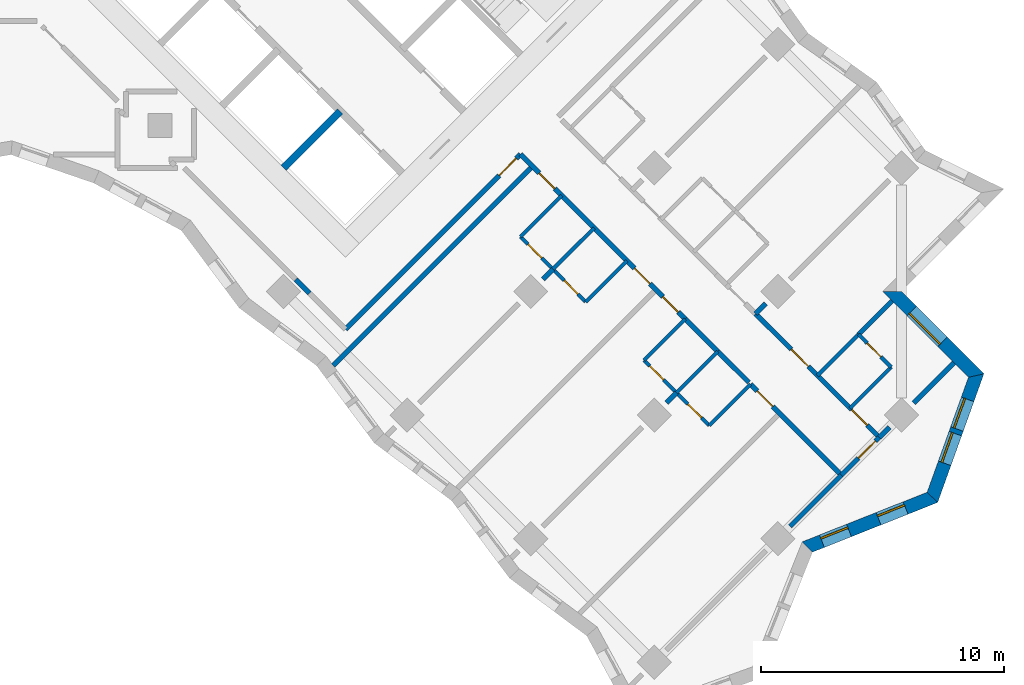
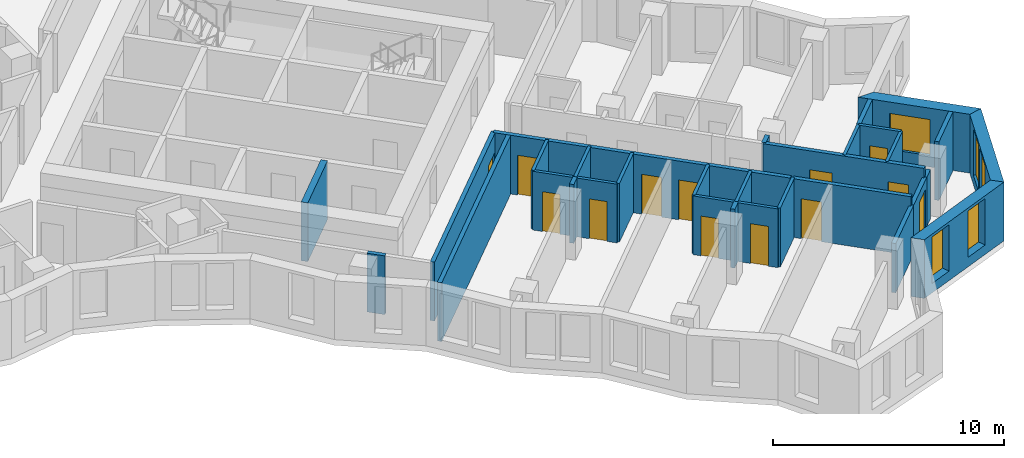
# One storey, part 9 of 13: 31 walls, 13 doors, 5 windows, 18 openings.
"""IFC4 building model written with IfcOpenShell, lengths in metres."""

import ifcopenshell
import ifcopenshell.guid

model = None  # the IFC model being written
_history = None  # IfcOwnerHistory: only IFC2X3 demands one
_inside = {}  # id of a spatial element -> (the spatial element, [elements in it])
_under = {}  # id of a project, library or spatial element -> (it, [spatial elements below it])
_declared = {}  # id of a project -> (the project, [libraries it declares])
_typed = {}  # id of a type object -> (the type object, [elements of that type])
_made_of = {}  # id of a material, layer set ... -> (it, [elements and type objects made of it])


def new_model(schema):
    """Start an empty IFC model of exactly this schema.

    Asked for "IFC4X3", IfcOpenShell would pick the latest addendum, in which some entities
    have other attributes; the version numbers below select the first issue.
    IFC2X3 requires an IfcOwnerHistory on every rooted entity: one is made here for all.
    """
    global model, _history
    if schema == "IFC4X3":
        model = ifcopenshell.file(schema_version=(4, 3, 0, 0))
    else:
        model = ifcopenshell.file(schema=schema)
    _inside.clear()
    _under.clear()
    _declared.clear()
    _typed.clear()
    _made_of.clear()
    _history = None
    if model.schema == "IFC2X3":
        org = make("IfcOrganization", Name="unknown")
        user = make(
            "IfcPersonAndOrganization",
            ThePerson=make("IfcPerson", FamilyName="unknown"),
            TheOrganization=org,
        )
        app = make(
            "IfcApplication",
            ApplicationDeveloper=org,
            Version="unknown",
            ApplicationFullName="unknown",
            ApplicationIdentifier="unknown",
        )
        _history = make(
            "IfcOwnerHistory",
            OwningUser=user,
            OwningApplication=app,
            ChangeAction="ADDED",
            CreationDate=0,
        )
    return model


def make(cls, **values):
    """One entity of the class cls with the attributes given. An attribute that is None is left unset."""
    return model.create_entity(
        cls, **{name: value for name, value in values.items() if value is not None}
    )


def rooted(cls, **values):
    """An entity with a GlobalId (a new one), such as an element, a storey or a relation."""
    return make(cls, GlobalId=ifcopenshell.guid.new(), OwnerHistory=_history, **values)


def si_unit(unit_type, name, prefix=None):
    """IfcSIUnit, for example si_unit("LENGTHUNIT", "METRE", prefix="MILLI")."""
    return make("IfcSIUnit", UnitType=unit_type, Prefix=prefix, Name=name)


def assignment(units):
    """IfcUnitAssignment: the units of a project."""
    return None if units is None else make("IfcUnitAssignment", Units=units)


def point(xyz):
    """IfcCartesianPoint."""
    return None if xyz is None else make("IfcCartesianPoint", Coordinates=xyz)


def direction(xyz):
    """IfcDirection."""
    return None if xyz is None else make("IfcDirection", DirectionRatios=xyz)


def frame(location, z_axis=None, x_axis=None):
    """IfcAxis2Placement3D, a coordinate frame: its origin and axes. An axis left out is left unset."""
    return make(
        "IfcAxis2Placement3D",
        Location=point(location),
        Axis=direction(z_axis),
        RefDirection=direction(x_axis),
    )


def frame_2d(location, x_axis=None):
    """IfcAxis2Placement2D, a coordinate frame in the plane: its origin and x axis."""
    return make(
        "IfcAxis2Placement2D", Location=point(location), RefDirection=direction(x_axis)
    )


def origin():
    """The frame at (0, 0, 0) with its axes left unset."""
    return frame((0.0, 0.0, 0.0))


def place(relative_to, where):
    """IfcLocalPlacement: puts the frame where relative to a parent placement (None: the world)."""
    return make(
        "IfcLocalPlacement", PlacementRelTo=relative_to, RelativePlacement=where
    )


def context(
    kind, dimensions, precision=None, world=None, true_north=None, identifier=None
):
    """IfcGeometricRepresentationContext, for example the 3D "Model" context."""
    return make(
        "IfcGeometricRepresentationContext",
        ContextIdentifier=identifier,
        ContextType=kind,
        CoordinateSpaceDimension=dimensions,
        Precision=precision,
        WorldCoordinateSystem=world,
        TrueNorth=true_north,
    )


def subcontext(parent, identifier, kind, view, scale=None):
    """IfcGeometricRepresentationSubContext, for example "Body" below "Model"."""
    return make(
        "IfcGeometricRepresentationSubContext",
        ContextIdentifier=identifier,
        ContextType=kind,
        ParentContext=parent,
        TargetScale=scale,
        TargetView=view,
    )


def project(units=None, contexts=None):
    """IfcProject with its units and contexts."""
    return rooted(
        "IfcProject",
        Name="project",
        RepresentationContexts=contexts,
        UnitsInContext=assignment(units),
    )


def spatial(cls, under=None, at=None, **own):
    """A site, building, storey or space (cls), placed at a placement, below another one or the project."""
    s = rooted(cls, ObjectPlacement=at, **own)
    if under is not None:
        _under.setdefault(under.id(), (under, []))[1].append(s)
    return s


def polyline(points):
    """IfcPolyline through the points."""
    return make("IfcPolyline", Points=[point(p) for p in points])


def profile(cls, at=None, kind="AREA", **sizes):
    """A parametric profile (cls). Its sizes go by their IFC names, for example OverallWidth=200.0."""
    return make(cls, ProfileType=kind, Position=at, **sizes)


def rectangle(**sizes):
    """IfcRectangleProfileDef."""
    return profile("IfcRectangleProfileDef", **sizes)


def outline(outer, holes=None, kind="AREA"):
    """IfcArbitraryClosedProfileDef: a profile drawn as a closed curve; with holes, ...WithVoids."""
    if holes is None:
        return make("IfcArbitraryClosedProfileDef", ProfileType=kind, OuterCurve=outer)
    return make(
        "IfcArbitraryProfileDefWithVoids",
        ProfileType=kind,
        OuterCurve=outer,
        InnerCurves=holes,
    )


def extrude(swept, where, along, depth):
    """IfcExtrudedAreaSolid: the profile swept, set in the frame where, extruded along a direction by depth."""
    return make(
        "IfcExtrudedAreaSolid",
        SweptArea=swept,
        Position=where,
        ExtrudedDirection=direction(along),
        Depth=depth,
    )


def shape(context_of_items, identifier, shape_type, items):
    """IfcShapeRepresentation: the items that make up one representation, for example the "Body"."""
    return make(
        "IfcShapeRepresentation",
        ContextOfItems=context_of_items,
        RepresentationIdentifier=identifier,
        RepresentationType=shape_type,
        Items=items,
    )


def material(Name=None, Category=None):
    """IfcMaterial."""
    return make("IfcMaterial", Name=Name, Category=Category)


def layer(
    of_material, thickness, ventilated=None, Name=None, Category=None, Priority=None
):
    """IfcMaterialLayer: one layer of a wall or slab, of a material (None: an air gap)."""
    return make(
        "IfcMaterialLayer",
        Material=of_material,
        LayerThickness=thickness,
        IsVentilated=ventilated,
        Name=Name,
        Category=Category,
        Priority=Priority,
    )


def layer_set(layers, Name=None):
    """IfcMaterialLayerSet."""
    return make("IfcMaterialLayerSet", MaterialLayers=layers, LayerSetName=Name)


def made_of(thing, what):
    """Note that an element or type object is made of a material, layer set ...; save() writes the relation."""
    if what is not None:
        _made_of.setdefault(what.id(), (what, []))[1].append(thing)
    return thing


def type_object(cls, material=None, **own):
    """A type object (cls), such as IfcWallType, which elements share."""
    return made_of(rooted(cls, **own), material)


def element(
    cls,
    number,
    at=None,
    inside=None,
    cuts=None,
    type_object=None,
    material=None,
    context=None,
    identifier="Body",
    shape_type=None,
    held_by="IfcProductDefinitionShape",
    body=None,
    shapes=None,
    **own,
):
    """One element of the class cls, such as IfcWall. Its Tag is "e" and its number.

    at: its placement. inside: the storey or other place that contains it. cuts: it is an
    opening in that element (IfcRelVoidsElement). A single representation is given by context,
    identifier, shape_type and body (its items); several are given by shapes. held_by: the class
    of the entity that holds the representations. save() writes the other relations.
    """
    e = rooted(cls, Tag="e%d" % number, ObjectPlacement=at, **own)
    if body is not None:
        shapes = [shape(context, identifier, shape_type, body)]
    if shapes is not None:
        e.Representation = make(held_by, Representations=shapes)
    if inside is not None:
        _inside.setdefault(inside.id(), (inside, []))[1].append(e)
    if cuts is not None:
        rooted(
            "IfcRelVoidsElement", RelatingBuildingElement=cuts, RelatedOpeningElement=e
        )
    if type_object is not None:
        _typed.setdefault(type_object.id(), (type_object, []))[1].append(e)
    return made_of(e, material)


def fill(opening, filler):
    """IfcRelFillsElement: the door or window that sits in an opening."""
    return rooted(
        "IfcRelFillsElement",
        RelatingOpeningElement=opening,
        RelatedBuildingElement=filler,
    )


def aggregate(whole, parts):
    """IfcRelAggregates: a whole, such as a stair, and the parts it consists of."""
    return rooted("IfcRelAggregates", RelatingObject=whole, RelatedObjects=parts)


def save(model, path):
    """Write the relations noted so far, then the file.

    IfcRelAggregates (storeys below a building ...), IfcRelContainedInSpatialStructure (elements
    in a storey), IfcRelDefinesByType, IfcRelAssociatesMaterial and IfcRelDeclares: one each for
    every whole, place, type object, material and project.
    """
    for whole, parts in _under.values():
        aggregate(whole, parts)
    for where, things in _inside.values():
        rooted(
            "IfcRelContainedInSpatialStructure",
            RelatedElements=things,
            RelatingStructure=where,
        )
    for kind, things in _typed.values():
        rooted("IfcRelDefinesByType", RelatedObjects=things, RelatingType=kind)
    for what, things in _made_of.values():
        rooted("IfcRelAssociatesMaterial", RelatedObjects=things, RelatingMaterial=what)
    for by, libraries in _declared.values():
        rooted("IfcRelDeclares", RelatingContext=by, RelatedDefinitions=libraries)
    model.write(path)


model = new_model("IFC4")

# Units and contexts
model_context = context("Model", 3, precision=1e-05, world=origin(), true_north=direction((0.0, 1.0)))
body_context = subcontext(model_context, "Body", "Model", "MODEL_VIEW")
ifc_project = project(units=[si_unit("LENGTHUNIT", "METRE"), si_unit("AREAUNIT", "SQUARE_METRE"), si_unit("VOLUMEUNIT", "CUBIC_METRE"), si_unit("PLANEANGLEUNIT", "RADIAN"), si_unit("MASSUNIT", "GRAM", prefix="KILO")], contexts=[model_context])

# Site, building, storey
site_placement = place(None, origin())
site = spatial("IfcSite", under=ifc_project, at=site_placement, CompositionType="ELEMENT")
building_placement = place(site_placement, origin())
building = spatial("IfcBuilding", under=site, at=building_placement, Name="Windrow Commons", CompositionType="ELEMENT")
storey_placement = place(building_placement, frame((0.0, 0.0, 111.8)))
storey = spatial("IfcBuildingStorey", under=building, at=storey_placement, Name="L30", CompositionType="ELEMENT", Elevation=111.8)

# Wall, openings, windows
ifc_material_1 = material(Name="Brick masonry, red clay brick", Category="masonry")
ifc_layer_1 = layer(ifc_material_1, 0.55)
ifc_layer_set_1 = layer_set([ifc_layer_1], Name="Brick facade wall 550")
wall_type_1 = type_object("IfcWallType", Name="Brick facade wall 550", PredefinedType="SOLIDWALL", material=ifc_layer_set_1)
wall_1_placement = place(storey_placement, frame((105.8681, 25.8355, 0.0), z_axis=(0.0, 0.0, 1.0), x_axis=(0.9295367521, 0.368729476, 0.0)))
wall_1 = element("IfcWall", 1, at=wall_1_placement, inside=storey, type_object=wall_type_1, Name="Brick facade wall L30 3", PredefinedType="SOLIDWALL", context=body_context, shape_type="SweptSolid", body=[
    extrude(outline(polyline([(0.1188, -0.275), (5.6666, -0.275), (5.4183, 0.275), (-0.1188, 0.275), (0.1188, -0.275)])), origin(), (0.0, 0.0, 1.0), 3.1),
])
opening_1_placement = place(wall_1_placement, frame((0.6467, 0.0, 0.5)))
opening_1 = element("IfcOpeningElement", 2, at=opening_1_placement, cuts=wall_1, Name="Opening W7D", PredefinedType="OPENING", context=body_context, shape_type="SweptSolid", body=[
    extrude(rectangle(XDim=1.2, YDim=2.45, at=frame_2d((0.6, 1.225))), frame((0.0, 0.285, 0.0), z_axis=(0.0, -1.0, 0.0), x_axis=(1.0, 0.0, 0.0)), (0.0, 0.0, 1.0), 0.57),
])
opening_2_placement = place(wall_1_placement, frame((3.1559, 0.0, 0.5)))
opening_2 = element("IfcOpeningElement", 3, at=opening_2_placement, cuts=wall_1, Name="Opening W7D", PredefinedType="OPENING", context=body_context, shape_type="SweptSolid", body=[
    extrude(rectangle(XDim=1.2, YDim=2.45, at=frame_2d((0.6, 1.225))), frame((0.0, 0.285, 0.0), z_axis=(0.0, -1.0, 0.0), x_axis=(1.0, 0.0, 0.0)), (0.0, 0.0, 1.0), 0.57),
])
ifc_material_2 = material(Name="Clear float glass in anodised aluminium frame", Category="aluminium")
window_type_1 = type_object("IfcWindowType", Name="Window W7 notch 1200x2450", PartitioningType="SINGLE_PANEL", PredefinedType="WINDOW", material=ifc_material_2)
window_1_placement = place(opening_1_placement, origin())
window_1 = element("IfcWindow", 4, at=window_1_placement, inside=storey, type_object=window_type_1, Name="Window L30 3.1", OverallHeight=2.45, OverallWidth=1.2, PartitioningType="SINGLE_PANEL", PredefinedType="WINDOW", context=body_context, shape_type="SweptSolid", body=[
    extrude(rectangle(XDim=1.2, YDim=2.45, at=frame_2d((0.6, 1.225))), frame((0.0, 0.155, 0.0), z_axis=(0.0, -1.0, 0.0), x_axis=(1.0, 0.0, 0.0)), (0.0, 0.0, 1.0), 0.06),
])
fill(opening_1, window_1)
window_2_placement = place(opening_2_placement, origin())
window_2 = element("IfcWindow", 5, at=window_2_placement, inside=storey, type_object=window_type_1, Name="Window L30 3.2", OverallHeight=2.45, OverallWidth=1.2, PartitioningType="SINGLE_PANEL", PredefinedType="WINDOW", context=body_context, shape_type="SweptSolid", body=[
    extrude(rectangle(XDim=1.2, YDim=2.45, at=frame_2d((0.6, 1.225))), frame((0.0, 0.155, 0.0), z_axis=(0.0, -1.0, 0.0), x_axis=(1.0, 0.0, 0.0)), (0.0, 0.0, 1.0), 0.06),
])
fill(opening_2, window_2)

wall_2_placement = place(storey_placement, frame((111.0201, 27.8792, 0.0), z_axis=(0.0, 0.0, 1.0), x_axis=(0.3382106652, 0.9410704256, 0.0)))
wall_2 = element("IfcWall", 6, at=wall_2_placement, inside=storey, type_object=wall_type_1, Name="Brick facade wall L30 4", PredefinedType="SOLIDWALL", context=body_context, shape_type="SweptSolid", body=[
    extrude(outline(polyline([(-0.1242, -0.275), (5.506, -0.275), (5.1572, 0.275), (0.1242, 0.275), (-0.1242, -0.275)])), origin(), (0.0, 0.0, 1.0), 3.1),
])
opening_3_placement = place(wall_2_placement, frame((1.4912, 0.0, 0.5)))
opening_3 = element("IfcOpeningElement", 7, at=opening_3_placement, cuts=wall_2, Name="Opening W1P", PredefinedType="OPENING", context=body_context, shape_type="SweptSolid", body=[
    extrude(rectangle(XDim=1.3, YDim=2.45, at=frame_2d((0.65, 1.225))), frame((0.0, 0.285, 0.0), z_axis=(0.0, -1.0, 0.0), x_axis=(1.0, 0.0, 0.0)), (0.0, 0.0, 1.0), 0.57),
])
opening_4_placement = place(wall_2_placement, frame((2.9912, 0.0, 0.5)))
opening_4 = element("IfcOpeningElement", 8, at=opening_4_placement, cuts=wall_2, Name="Opening W1P", PredefinedType="OPENING", context=body_context, shape_type="SweptSolid", body=[
    extrude(rectangle(XDim=1.3, YDim=2.45, at=frame_2d((0.65, 1.225))), frame((0.0, 0.285, 0.0), z_axis=(0.0, -1.0, 0.0), x_axis=(1.0, 0.0, 0.0)), (0.0, 0.0, 1.0), 0.57),
])
ifc_material_3 = material(Name="Clear float glass in anodised aluminium frame", Category="aluminium")
window_type_2 = type_object("IfcWindowType", Name="Window W1P pair 1300x2450", PartitioningType="SINGLE_PANEL", PredefinedType="WINDOW", material=ifc_material_3)
window_3_placement = place(opening_3_placement, origin())
window_3 = element("IfcWindow", 9, at=window_3_placement, inside=storey, type_object=window_type_2, Name="Window L30 4.1A", OverallHeight=2.45, OverallWidth=1.3, PartitioningType="SINGLE_PANEL", PredefinedType="WINDOW", context=body_context, shape_type="SweptSolid", body=[
    extrude(rectangle(XDim=1.3, YDim=2.45, at=frame_2d((0.65, 1.225))), frame((0.0, 0.155, 0.0), z_axis=(0.0, -1.0, 0.0), x_axis=(1.0, 0.0, 0.0)), (0.0, 0.0, 1.0), 0.06),
])
fill(opening_3, window_3)
window_4_placement = place(opening_4_placement, origin())
window_4 = element("IfcWindow", 10, at=window_4_placement, inside=storey, type_object=window_type_2, Name="Window L30 4.1B", OverallHeight=2.45, OverallWidth=1.3, PartitioningType="SINGLE_PANEL", PredefinedType="WINDOW", context=body_context, shape_type="SweptSolid", body=[
    extrude(rectangle(XDim=1.3, YDim=2.45, at=frame_2d((0.65, 1.225))), frame((0.0, 0.155, 0.0), z_axis=(0.0, -1.0, 0.0), x_axis=(1.0, 0.0, 0.0)), (0.0, 0.0, 1.0), 0.06),
])
fill(opening_4, window_4)

# Wall, opening, window
wall_3_placement = place(storey_placement, frame((112.8233, 32.8966, 0.0), z_axis=(0.0, 0.0, 1.0), x_axis=(-0.7071067812, 0.7071067812, 0.0)))
wall_3 = element("IfcWall", 11, at=wall_3_placement, inside=storey, type_object=wall_type_1, Name="Brick facade wall L30 5", PredefinedType="SOLIDWALL", context=body_context, shape_type="SweptSolid", body=[
    extrude(outline(polyline([(-0.1744, -0.275), (4.6256, -0.275), (5.1756, 0.275), (0.1744, 0.275), (-0.1744, -0.275)])), origin(), (0.0, 0.0, 1.0), 3.1),
])
opening_5_placement = place(wall_3_placement, frame((1.9631, 0.0, 0.6)))
opening_5 = element("IfcOpeningElement", 12, at=opening_5_placement, cuts=wall_3, Name="Opening W1L", PredefinedType="OPENING", context=body_context, shape_type="SweptSolid", body=[
    extrude(rectangle(XDim=1.8, YDim=1.9, at=frame_2d((0.9, 0.95))), frame((0.0, 0.285, 0.0), z_axis=(0.0, -1.0, 0.0), x_axis=(1.0, 0.0, 0.0)), (0.0, 0.0, 1.0), 0.57),
])
ifc_material_4 = material(Name="Clear float glass in anodised aluminium frame", Category="aluminium")
window_type_3 = type_object("IfcWindowType", Name="Window W1L bedroom 1800x1900", PartitioningType="SINGLE_PANEL", PredefinedType="WINDOW", material=ifc_material_4)
window_5_placement = place(opening_5_placement, origin())
window_5 = element("IfcWindow", 13, at=window_5_placement, inside=storey, type_object=window_type_3, Name="Window L30 5.1", OverallHeight=1.9, OverallWidth=1.8, PartitioningType="SINGLE_PANEL", PredefinedType="WINDOW", context=body_context, shape_type="SweptSolid", body=[
    extrude(rectangle(XDim=1.8, YDim=1.9, at=frame_2d((0.9, 0.95))), frame((0.0, 0.155, 0.0), z_axis=(0.0, -1.0, 0.0), x_axis=(1.0, 0.0, 0.0)), (0.0, 0.0, 1.0), 0.06),
])
fill(opening_5, window_5)

# Wall, opening, door
ifc_material_5 = material(Name="Blockwork partition", Category="masonry")
ifc_layer_2 = layer(ifc_material_5, 0.2)
ifc_layer_set_2 = layer_set([ifc_layer_2], Name="IW-CORRIDOR-200")
wall_type_2 = type_object("IfcWallType", Name="IW-CORRIDOR-200", PredefinedType="PARTITIONING", material=ifc_layer_set_2)
wall_4_placement = place(storey_placement, frame((86.8355, 34.8065, 0.0), z_axis=(0.0, 0.0, 1.0), x_axis=(0.7071067812, 0.7071067812, 0.0)))
wall_4 = element("IfcWall", 14, at=wall_4_placement, inside=storey, type_object=wall_type_2, Name="W-L30-W011", PredefinedType="PARTITIONING", context=body_context, shape_type="SweptSolid", body=[
    extrude(rectangle(XDim=10.2007, YDim=0.2, at=frame_2d((5.1003, 0.0))), origin(), (0.0, 0.0, 1.0), 3.1),
])
opening_6_placement = place(wall_4_placement, frame((8.959, 0.0, 0.0)))
opening_6 = element("IfcOpeningElement", 15, at=opening_6_placement, cuts=wall_4, Name="Opening D310F", PredefinedType="OPENING", context=body_context, shape_type="SweptSolid", body=[
    extrude(rectangle(XDim=1.0, YDim=2.1, at=frame_2d((0.5, 1.05))), frame((0.0, 0.11, 0.0), z_axis=(0.0, -1.0, 0.0), x_axis=(1.0, 0.0, 0.0)), (0.0, 0.0, 1.0), 0.22),
])
ifc_material_6 = material(Name="Timber door leaf", Category="wood")
door_type_1 = type_object("IfcDoorType", Name="DT-AMENITY-1000", OperationType="SINGLE_SWING_LEFT", PredefinedType="DOOR", material=ifc_material_6)
door_1_placement = place(opening_6_placement, origin())
door_1 = element("IfcDoor", 16, at=door_1_placement, inside=storey, type_object=door_type_1, Name="D-L30-D056", OperationType="SINGLE_SWING_LEFT", OverallHeight=2.1, OverallWidth=1.0, PredefinedType="DOOR", context=body_context, shape_type="SweptSolid", body=[
    extrude(rectangle(XDim=1.0, YDim=2.1, at=frame_2d((0.5, 1.05))), frame((0.0, 0.025, 0.0), z_axis=(0.0, -1.0, 0.0), x_axis=(1.0, 0.0, 0.0)), (0.0, 0.0, 1.0), 0.05),
])
fill(opening_6, door_1)

# Wall, openings, doors
wall_5_placement = place(storey_placement, frame((94.0467, 42.0147, 0.0), z_axis=(0.0, 0.0, 1.0), x_axis=(0.7071067812, -0.7071067812, 0.0)))
wall_5 = element("IfcWall", 17, at=wall_5_placement, inside=storey, type_object=wall_type_2, Name="W-L30-W012", PredefinedType="PARTITIONING", context=body_context, shape_type="SweptSolid", body=[
    extrude(rectangle(XDim=9.5997, YDim=0.2, at=frame_2d((4.7999, 0.0))), origin(), (0.0, 0.0, 1.0), 3.1),
])
opening_7_placement = place(wall_5_placement, frame((1.099, 0.0, 0.0)))
opening_7 = element("IfcOpeningElement", 18, at=opening_7_placement, cuts=wall_5, Name="Opening D109S", PredefinedType="OPENING", context=body_context, shape_type="SweptSolid", body=[
    extrude(rectangle(XDim=0.9, YDim=2.1, at=frame_2d((0.45, 1.05))), frame((0.0, 0.11, 0.0), z_axis=(0.0, -1.0, 0.0), x_axis=(1.0, 0.0, 0.0)), (0.0, 0.0, 1.0), 0.22),
])
opening_8_placement = place(wall_5_placement, frame((6.649, 0.0, 0.0)))
opening_8 = element("IfcOpeningElement", 19, at=opening_8_placement, cuts=wall_5, Name="Opening D109S", PredefinedType="OPENING", context=body_context, shape_type="SweptSolid", body=[
    extrude(rectangle(XDim=0.9, YDim=2.1, at=frame_2d((0.45, 1.05))), frame((0.0, 0.11, 0.0), z_axis=(0.0, -1.0, 0.0), x_axis=(1.0, 0.0, 0.0)), (0.0, 0.0, 1.0), 0.22),
])
opening_9_placement = place(wall_5_placement, frame((8.3003, 0.0, 0.0)))
opening_9 = element("IfcOpeningElement", 20, at=opening_9_placement, cuts=wall_5, Name="Opening D109S", PredefinedType="OPENING", context=body_context, shape_type="SweptSolid", body=[
    extrude(rectangle(XDim=0.9, YDim=2.1, at=frame_2d((0.45, 1.05))), frame((0.0, 0.11, 0.0), z_axis=(0.0, -1.0, 0.0), x_axis=(1.0, 0.0, 0.0)), (0.0, 0.0, 1.0), 0.22),
])
ifc_material_7 = material(Name="Timber door leaf", Category="wood")
door_type_2 = type_object("IfcDoorType", Name="DT-BEDROOM-900", OperationType="SINGLE_SWING_LEFT", PredefinedType="DOOR", material=ifc_material_7)
door_2_placement = place(opening_7_placement, origin())
door_2 = element("IfcDoor", 21, at=door_2_placement, inside=storey, type_object=door_type_2, Name="D-L30-D057", OperationType="SINGLE_SWING_LEFT", OverallHeight=2.1, OverallWidth=0.9, PredefinedType="DOOR", context=body_context, shape_type="SweptSolid", body=[
    extrude(rectangle(XDim=0.9, YDim=2.1, at=frame_2d((0.45, 1.05))), frame((0.0, 0.025, 0.0), z_axis=(0.0, -1.0, 0.0), x_axis=(1.0, 0.0, 0.0)), (0.0, 0.0, 1.0), 0.05),
])
fill(opening_7, door_2)
door_3_placement = place(opening_8_placement, origin())
door_3 = element("IfcDoor", 22, at=door_3_placement, inside=storey, type_object=door_type_2, Name="D-L30-D059", OperationType="SINGLE_SWING_RIGHT", OverallHeight=2.1, OverallWidth=0.9, PredefinedType="DOOR", context=body_context, shape_type="SweptSolid", body=[
    extrude(rectangle(XDim=0.9, YDim=2.1, at=frame_2d((0.45, 1.05))), frame((0.0, 0.025, 0.0), z_axis=(0.0, -1.0, 0.0), x_axis=(1.0, 0.0, 0.0)), (0.0, 0.0, 1.0), 0.05),
])
fill(opening_8, door_3)
door_4_placement = place(opening_9_placement, origin())
door_4 = element("IfcDoor", 23, at=door_4_placement, inside=storey, type_object=door_type_2, Name="D-L30-D063", OperationType="SINGLE_SWING_LEFT", OverallHeight=2.1, OverallWidth=0.9, PredefinedType="DOOR", context=body_context, shape_type="SweptSolid", body=[
    extrude(rectangle(XDim=0.9, YDim=2.1, at=frame_2d((0.45, 1.05))), frame((0.0, 0.025, 0.0), z_axis=(0.0, -1.0, 0.0), x_axis=(1.0, 0.0, 0.0)), (0.0, 0.0, 1.0), 0.05),
])
fill(opening_9, door_4)

wall_6_placement = place(storey_placement, frame((108.8314, 30.3554, 0.0), z_axis=(0.0, 0.0, 1.0), x_axis=(-0.7073012053, 0.7069123036, 0.0)))
wall_6 = element("IfcWall", 24, at=wall_6_placement, inside=storey, type_object=wall_type_2, Name="W-L30-W019", PredefinedType="PARTITIONING", context=body_context, shape_type="SweptSolid", body=[
    extrude(rectangle(XDim=7.1998, YDim=0.2, at=frame_2d((3.5999, 0.0))), origin(), (0.0, 0.0, 1.0), 3.1),
])
opening_10_placement = place(wall_6_placement, frame((4.1247, 0.0, 0.0)))
opening_10 = element("IfcOpeningElement", 25, at=opening_10_placement, cuts=wall_6, Name="Opening D310F", PredefinedType="OPENING", context=body_context, shape_type="SweptSolid", body=[
    extrude(rectangle(XDim=1.0, YDim=2.1, at=frame_2d((0.5, 1.05))), frame((0.0, 0.11, 0.0), z_axis=(0.0, -1.0, 0.0), x_axis=(1.0, 0.0, 0.0)), (0.0, 0.0, 1.0), 0.22),
])
opening_11_placement = place(wall_6_placement, frame((0.7053, 0.0, 0.0)))
opening_11 = element("IfcOpeningElement", 26, at=opening_11_placement, cuts=wall_6, Name="Opening D109S", PredefinedType="OPENING", context=body_context, shape_type="SweptSolid", body=[
    extrude(rectangle(XDim=0.9, YDim=2.1, at=frame_2d((0.45, 1.05))), frame((0.0, 0.11, 0.0), z_axis=(0.0, -1.0, 0.0), x_axis=(1.0, 0.0, 0.0)), (0.0, 0.0, 1.0), 0.22),
])
door_5_placement = place(opening_10_placement, origin())
door_5 = element("IfcDoor", 27, at=door_5_placement, inside=storey, type_object=door_type_1, Name="D-L30-D045", OperationType="SINGLE_SWING_LEFT", OverallHeight=2.1, OverallWidth=1.0, PredefinedType="DOOR", context=body_context, shape_type="SweptSolid", body=[
    extrude(rectangle(XDim=1.0, YDim=2.1, at=frame_2d((0.5, 1.05))), frame((0.0, 0.025, 0.0), z_axis=(0.0, -1.0, 0.0), x_axis=(1.0, 0.0, 0.0)), (0.0, 0.0, 1.0), 0.05),
])
fill(opening_10, door_5)
door_6_placement = place(opening_11_placement, origin())
door_6 = element("IfcDoor", 28, at=door_6_placement, inside=storey, type_object=door_type_2, Name="D-L30-D065", OperationType="SINGLE_SWING_RIGHT", OverallHeight=2.1, OverallWidth=0.9, PredefinedType="DOOR", context=body_context, shape_type="SweptSolid", body=[
    extrude(rectangle(XDim=0.9, YDim=2.1, at=frame_2d((0.45, 1.05))), frame((0.0, 0.025, 0.0), z_axis=(0.0, -1.0, 0.0), x_axis=(1.0, 0.0, 0.0)), (0.0, 0.0, 1.0), 0.05),
])
fill(opening_11, door_6)

# Wall, opening, door
wall_7_placement = place(storey_placement, frame((103.5207, 32.5407, 0.0), z_axis=(0.0, 0.0, 1.0), x_axis=(0.7071067812, -0.7071067812, 0.0)))
wall_7 = element("IfcWall", 29, at=wall_7_placement, inside=storey, type_object=wall_type_2, Name="W-L30-W038", PredefinedType="PARTITIONING", context=body_context, shape_type="SweptSolid", body=[
    extrude(rectangle(XDim=5.3005, YDim=0.2, at=frame_2d((2.6503, 0.0))), origin(), (0.0, 0.0, 1.0), 3.1),
])
opening_12_placement = place(wall_7_placement, frame((0.3957, 0.0, 0.0)))
opening_12 = element("IfcOpeningElement", 30, at=opening_12_placement, cuts=wall_7, Name="Opening D109S", PredefinedType="OPENING", context=body_context, shape_type="SweptSolid", body=[
    extrude(rectangle(XDim=0.9, YDim=2.1, at=frame_2d((0.45, 1.05))), frame((0.0, 0.11, 0.0), z_axis=(0.0, -1.0, 0.0), x_axis=(1.0, 0.0, 0.0)), (0.0, 0.0, 1.0), 0.22),
])
door_7_placement = place(opening_12_placement, origin())
door_7 = element("IfcDoor", 31, at=door_7_placement, inside=storey, type_object=door_type_2, Name="D-L30-D061", OperationType="SINGLE_SWING_RIGHT", OverallHeight=2.1, OverallWidth=0.9, PredefinedType="DOOR", context=body_context, shape_type="SweptSolid", body=[
    extrude(rectangle(XDim=0.9, YDim=2.1, at=frame_2d((0.45, 1.05))), frame((0.0, 0.025, 0.0), z_axis=(0.0, -1.0, 0.0), x_axis=(1.0, 0.0, 0.0)), (0.0, 0.0, 1.0), 0.05),
])
fill(opening_12, door_7)

wall_8_placement = place(storey_placement, frame((107.2714, 28.7966, 0.0), z_axis=(0.0, 0.0, 1.0), x_axis=(0.7071067812, 0.7071067812, 0.0)))
wall_8 = element("IfcWall", 32, at=wall_8_placement, inside=storey, type_object=wall_type_2, Name="W-L30-W128", PredefinedType="PARTITIONING", context=body_context, shape_type="SweptSolid", body=[
    extrude(rectangle(XDim=2.2005, YDim=0.2, at=frame_2d((1.1002, 0.0))), origin(), (0.0, 0.0, 1.0), 2.6),
])
opening_13_placement = place(wall_8_placement, frame((0.9866, 0.0, 0.0)))
opening_13 = element("IfcOpeningElement", 33, at=opening_13_placement, cuts=wall_8, Name="Opening D310F", PredefinedType="OPENING", context=body_context, shape_type="SweptSolid", body=[
    extrude(rectangle(XDim=1.0, YDim=2.1, at=frame_2d((0.5, 1.05))), frame((0.0, 0.11, 0.0), z_axis=(0.0, -1.0, 0.0), x_axis=(1.0, 0.0, 0.0)), (0.0, 0.0, 1.0), 0.22),
])
door_8_placement = place(opening_13_placement, origin())
door_8 = element("IfcDoor", 34, at=door_8_placement, inside=storey, type_object=door_type_1, Name="D-L30-D067", OperationType="SINGLE_SWING_RIGHT", OverallHeight=2.1, OverallWidth=1.0, PredefinedType="DOOR", context=body_context, shape_type="SweptSolid", body=[
    extrude(rectangle(XDim=1.0, YDim=2.1, at=frame_2d((0.5, 1.05))), frame((0.0, 0.025, 0.0), z_axis=(0.0, -1.0, 0.0), x_axis=(1.0, 0.0, 0.0)), (0.0, 0.0, 1.0), 0.05),
])
fill(opening_13, door_8)

# Walls
wall_9_placement = place(storey_placement, frame((100.8386, 35.2306, 0.0), z_axis=(0.0, 0.0, 1.0), x_axis=(0.7065800724, -0.7076330979, 0.0)))
element("IfcWall", 35, at=wall_9_placement, inside=storey, type_object=wall_type_2, Name="W-L30-W151", PredefinedType="PARTITIONING", context=body_context, shape_type="SweptSolid", body=[
    extrude(rectangle(XDim=1.8993, YDim=0.2, at=frame_2d((0.9496, 0.0))), origin(), (0.0, 0.0, 1.0), 3.1),
])
wall_10_placement = place(storey_placement, frame((102.1834, 33.8894, 0.0), z_axis=(0.0, 0.0, 1.0), x_axis=(0.7076620277, -0.7065510983, 0.0)))
element("IfcWall", 36, at=wall_10_placement, inside=storey, type_object=wall_type_2, Name="W-L30-W155", PredefinedType="PARTITIONING", context=body_context, shape_type="SweptSolid", body=[
    extrude(rectangle(XDim=1.8003, YDim=0.2, at=frame_2d((0.9002, 0.0))), origin(), (0.0, 0.0, 1.0), 3.1),
])
wall_11_placement = place(storey_placement, frame((84.7953, 36.8553, 0.0), z_axis=(0.0, 0.0, 1.0), x_axis=(0.7071067812, -0.7071067812, 0.0)))
element("IfcWall", 37, at=wall_11_placement, inside=storey, type_object=wall_type_2, Name="W-L30-W178", PredefinedType="PARTITIONING", context=body_context, shape_type="SweptSolid", body=[
    extrude(rectangle(XDim=0.792, YDim=0.2, at=frame_2d((0.396, 0.0))), origin(), (0.0, 0.0, 1.0), 3.1),
])

# Wall, openings, doors
ifc_material_8 = material(Name="Blockwork partition", Category="masonry")
ifc_layer_3 = layer(ifc_material_8, 0.15)
ifc_layer_set_3 = layer_set([ifc_layer_3], Name="IW-ENSUITE-150")
wall_type_3 = type_object("IfcWallType", Name="IW-ENSUITE-150", PredefinedType="PARTITIONING", material=ifc_layer_set_3)
wall_12_placement = place(storey_placement, frame((99.1367, 33.5307, 0.0), z_axis=(0.0, 0.0, 1.0), x_axis=(0.7071067812, -0.7071067812, 0.0)))
wall_12 = element("IfcWall", 38, at=wall_12_placement, inside=storey, type_object=wall_type_3, Name="W-L30-W051", PredefinedType="PARTITIONING", context=body_context, shape_type="SweptSolid", body=[
    extrude(rectangle(XDim=3.8014, YDim=0.15, at=frame_2d((1.9007, 0.0))), origin(), (0.0, 0.0, 1.0), 3.1),
])
opening_14_placement = place(wall_12_placement, frame((2.5569, 0.0, 0.0)))
opening_14 = element("IfcOpeningElement", 39, at=opening_14_placement, cuts=wall_12, Name="Opening D208N", PredefinedType="OPENING", context=body_context, shape_type="SweptSolid", body=[
    extrude(rectangle(XDim=0.8, YDim=2.1, at=frame_2d((0.4, 1.05))), frame((0.0, 0.085, 0.0), z_axis=(0.0, -1.0, 0.0), x_axis=(1.0, 0.0, 0.0)), (0.0, 0.0, 1.0), 0.17),
])
opening_15_placement = place(wall_12_placement, frame((0.3393, 0.0, 0.0)))
opening_15 = element("IfcOpeningElement", 40, at=opening_15_placement, cuts=wall_12, Name="Opening D208N", PredefinedType="OPENING", context=body_context, shape_type="SweptSolid", body=[
    extrude(rectangle(XDim=0.8, YDim=2.1, at=frame_2d((0.4, 1.05))), frame((0.0, 0.085, 0.0), z_axis=(0.0, -1.0, 0.0), x_axis=(1.0, 0.0, 0.0)), (0.0, 0.0, 1.0), 0.17),
])
ifc_material_9 = material(Name="Timber door leaf", Category="wood")
door_type_3 = type_object("IfcDoorType", Name="DT-ENSUITE-800", OperationType="SINGLE_SWING_LEFT", PredefinedType="DOOR", material=ifc_material_9)
door_9_placement = place(opening_14_placement, origin())
door_9 = element("IfcDoor", 41, at=door_9_placement, inside=storey, type_object=door_type_3, Name="D-L30-D062", OperationType="SINGLE_SWING_RIGHT", OverallHeight=2.1, OverallWidth=0.8, PredefinedType="DOOR", context=body_context, shape_type="SweptSolid", body=[
    extrude(rectangle(XDim=0.8, YDim=2.1, at=frame_2d((0.4, 1.05))), frame((0.0, 0.025, 0.0), z_axis=(0.0, -1.0, 0.0), x_axis=(1.0, 0.0, 0.0)), (0.0, 0.0, 1.0), 0.05),
])
fill(opening_14, door_9)
door_10_placement = place(opening_15_placement, origin())
door_10 = element("IfcDoor", 42, at=door_10_placement, inside=storey, type_object=door_type_3, Name="D-L30-D064", OperationType="SINGLE_SWING_RIGHT", OverallHeight=2.1, OverallWidth=0.8, PredefinedType="DOOR", context=body_context, shape_type="SweptSolid", body=[
    extrude(rectangle(XDim=0.8, YDim=2.1, at=frame_2d((0.4, 1.05))), frame((0.0, 0.025, 0.0), z_axis=(0.0, -1.0, 0.0), x_axis=(1.0, 0.0, 0.0)), (0.0, 0.0, 1.0), 0.05),
])
fill(opening_15, door_10)

wall_13_placement = place(storey_placement, frame((94.0467, 38.6207, 0.0), z_axis=(0.0, 0.0, 1.0), x_axis=(0.7071067812, -0.7071067812, 0.0)))
wall_13 = element("IfcWall", 43, at=wall_13_placement, inside=storey, type_object=wall_type_3, Name="W-L30-W055", PredefinedType="PARTITIONING", context=body_context, shape_type="SweptSolid", body=[
    extrude(rectangle(XDim=3.7986, YDim=0.15, at=frame_2d((1.8993, 0.0))), origin(), (0.0, 0.0, 1.0), 3.1),
])
opening_16_placement = place(wall_13_placement, frame((0.444, 0.0, 0.0)))
opening_16 = element("IfcOpeningElement", 44, at=opening_16_placement, cuts=wall_13, Name="Opening D208N", PredefinedType="OPENING", context=body_context, shape_type="SweptSolid", body=[
    extrude(rectangle(XDim=0.8, YDim=2.1, at=frame_2d((0.4, 1.05))), frame((0.0, 0.085, 0.0), z_axis=(0.0, -1.0, 0.0), x_axis=(1.0, 0.0, 0.0)), (0.0, 0.0, 1.0), 0.17),
])
opening_17_placement = place(wall_13_placement, frame((2.5515, 0.0, 0.0)))
opening_17 = element("IfcOpeningElement", 45, at=opening_17_placement, cuts=wall_13, Name="Opening D208N", PredefinedType="OPENING", context=body_context, shape_type="SweptSolid", body=[
    extrude(rectangle(XDim=0.8, YDim=2.1, at=frame_2d((0.4, 1.05))), frame((0.0, 0.085, 0.0), z_axis=(0.0, -1.0, 0.0), x_axis=(1.0, 0.0, 0.0)), (0.0, 0.0, 1.0), 0.17),
])
door_11_placement = place(opening_16_placement, origin())
door_11 = element("IfcDoor", 46, at=door_11_placement, inside=storey, type_object=door_type_3, Name="D-L30-D058", OperationType="SINGLE_SWING_RIGHT", OverallHeight=2.1, OverallWidth=0.8, PredefinedType="DOOR", context=body_context, shape_type="SweptSolid", body=[
    extrude(rectangle(XDim=0.8, YDim=2.1, at=frame_2d((0.4, 1.05))), frame((0.0, 0.025, 0.0), z_axis=(0.0, -1.0, 0.0), x_axis=(1.0, 0.0, 0.0)), (0.0, 0.0, 1.0), 0.05),
])
fill(opening_16, door_11)
door_12_placement = place(opening_17_placement, origin())
door_12 = element("IfcDoor", 47, at=door_12_placement, inside=storey, type_object=door_type_3, Name="D-L30-D060", OperationType="SINGLE_SWING_RIGHT", OverallHeight=2.1, OverallWidth=0.8, PredefinedType="DOOR", context=body_context, shape_type="SweptSolid", body=[
    extrude(rectangle(XDim=0.8, YDim=2.1, at=frame_2d((0.4, 1.05))), frame((0.0, 0.025, 0.0), z_axis=(0.0, -1.0, 0.0), x_axis=(1.0, 0.0, 0.0)), (0.0, 0.0, 1.0), 0.05),
])
fill(opening_17, door_12)

# Walls
for number, where, z_axis, x_axis, name in (
    (48, (95.3887, 37.2853, 0.0), (0.0, 0.0, 1.0), (0.7075233388, 0.706689978, 0.0), "W-L30-W114"),
    (49, (94.0519, 38.6221, 0.0), (0.0, 0.0, 1.0), (0.706689978, 0.7075233388, 0.0), "W-L30-W115"),
    (50, (96.7393, 35.9347, 0.0), (0.0, 0.0, 1.0), (0.7075233388, 0.706689978, 0.0), "W-L30-W116"),
    (51, (99.1434, 33.5306, 0.0), (0.0, 0.0, 1.0), (0.7075233388, 0.706689978, 0.0), "W-L30-W117"),
    (52, (101.83, 30.844, 0.0), (0.0, 0.0, 1.0), (0.706689978, 0.7075233388, 0.0), "W-L30-W118"),
):
    element("IfcWall", number, at=place(storey_placement, frame(where, z_axis=z_axis, x_axis=x_axis)), inside=storey, type_object=wall_type_3, Name=name, PredefinedType="PARTITIONING", context=body_context, shape_type="SweptSolid", body=[
        extrude(rectangle(XDim=2.3999, YDim=0.15, at=frame_2d((1.2, 0.0))), origin(), (0.0, 0.0, 1.0), 3.1),
    ])
for number, where, z_axis, x_axis, name in (
    (53, (100.4832, 32.1908, 0.0), (0.0, 0.0, 1.0), (0.7071067812, 0.7071067812, 0.0), "W-L30-W120"),
    (54, (106.2828, 32.8992, 0.0), (0.0, 0.0, 1.0), (0.7071067812, 0.7071067812, 0.0), "W-L30-W122"),
    (55, (107.6253, 31.5547, 0.0), (0.0, 0.0, 1.0), (0.7071067812, 0.7071067812, 0.0), "W-L30-W123"),
):
    element("IfcWall", number, at=place(storey_placement, frame(where, z_axis=z_axis, x_axis=x_axis)), inside=storey, type_object=wall_type_3, Name=name, PredefinedType="PARTITIONING", context=body_context, shape_type="SweptSolid", body=[
        extrude(rectangle(XDim=2.3985, YDim=0.15, at=frame_2d((1.1992, 0.0))), origin(), (0.0, 0.0, 1.0), 3.1),
    ])

# Wall, opening, door
wall_14_placement = place(storey_placement, frame((107.9774, 34.5914, 0.0), z_axis=(0.0, 0.0, 1.0), x_axis=(0.7065800724, -0.7076330979, 0.0)))
wall_14 = element("IfcWall", 56, at=wall_14_placement, inside=storey, type_object=wall_type_3, Name="W-L30-W152", PredefinedType="PARTITIONING", context=body_context, shape_type="SweptSolid", body=[
    extrude(rectangle(XDim=1.8993, YDim=0.15, at=frame_2d((0.9496, 0.0))), origin(), (0.0, 0.0, 1.0), 3.1),
])
opening_18_placement = place(wall_14_placement, frame((0.5082, 0.0, 0.0)))
opening_18 = element("IfcOpeningElement", 57, at=opening_18_placement, cuts=wall_14, Name="Opening D208N", PredefinedType="OPENING", context=body_context, shape_type="SweptSolid", body=[
    extrude(rectangle(XDim=0.8, YDim=2.1, at=frame_2d((0.4, 1.05))), frame((0.0, 0.085, 0.0), z_axis=(0.0, -1.0, 0.0), x_axis=(1.0, 0.0, 0.0)), (0.0, 0.0, 1.0), 0.17),
])
door_13_placement = place(opening_18_placement, origin())
door_13 = element("IfcDoor", 58, at=door_13_placement, inside=storey, type_object=door_type_3, Name="D-L30-D066", OperationType="SINGLE_SWING_RIGHT", OverallHeight=2.1, OverallWidth=0.8, PredefinedType="DOOR", context=body_context, shape_type="SweptSolid", body=[
    extrude(rectangle(XDim=0.8, YDim=2.1, at=frame_2d((0.4, 1.05))), frame((0.0, 0.025, 0.0), z_axis=(0.0, -1.0, 0.0), x_axis=(1.0, 0.0, 0.0)), (0.0, 0.0, 1.0), 0.05),
])
fill(opening_18, door_13)

# Walls
ifc_material_10 = material(Name="Blockwork partition", Category="masonry")
ifc_layer_4 = layer(ifc_material_10, 0.2)
ifc_layer_set_4 = layer_set([ifc_layer_4], Name="IW-PARTY-200")
wall_type_4 = type_object("IfcWallType", Name="IW-PARTY-200", PredefinedType="PARTITIONING", material=ifc_layer_set_4)
wall_15_placement = place(storey_placement, frame((86.3312, 33.3123, 0.0), z_axis=(0.0, 0.0, 1.0), x_axis=(0.707102476, 0.7071110864, 0.0)))
element("IfcWall", 59, at=wall_15_placement, inside=storey, type_object=wall_type_4, Name="W-L30-W009", PredefinedType="PARTITIONING", context=body_context, shape_type="SweptSolid", body=[
    extrude(rectangle(XDim=11.6139, YDim=0.2, at=frame_2d((5.8069, 0.0))), origin(), (0.0, 0.0, 1.0), 3.1),
])
wall_16_placement = place(storey_placement, frame((105.1554, 26.6806, 0.0), z_axis=(0.0, 0.0, 1.0), x_axis=(0.7071067812, 0.7071067812, 0.0)))
element("IfcWall", 60, at=wall_16_placement, inside=storey, type_object=wall_type_4, Name="W-L30-W062", PredefinedType="PARTITIONING", context=body_context, shape_type="SweptSolid", body=[
    extrude(rectangle(XDim=2.9925, YDim=0.2, at=frame_2d((1.4963, 0.0))), origin(), (0.0, 0.0, 1.0), 2.6),
])
wall_17_placement = place(storey_placement, frame((110.2515, 31.7666, 0.0), z_axis=(0.0, 0.0, 1.0), x_axis=(0.7066584143, 0.7075548639, 0.0)))
element("IfcWall", 61, at=wall_17_placement, inside=storey, type_object=wall_type_4, Name="W-L30-W126", PredefinedType="PARTITIONING", context=body_context, shape_type="SweptSolid", body=[
    extrude(rectangle(XDim=2.3426, YDim=0.2, at=frame_2d((1.1713, 0.0))), origin(), (0.0, 0.0, 1.0), 3.1),
])
wall_18_placement = place(storey_placement, frame((107.9788, 34.5952, 0.0), z_axis=(0.0, 0.0, 1.0), x_axis=(0.7071067812, 0.7071067812, 0.0)))
element("IfcWall", 62, at=wall_18_placement, inside=storey, type_object=wall_type_4, Name="W-L30-W150", PredefinedType="PARTITIONING", context=body_context, shape_type="SweptSolid", body=[
    extrude(rectangle(XDim=1.9495, YDim=0.2, at=frame_2d((0.9748, 0.0))), origin(), (0.0, 0.0, 1.0), 3.1),
])
for number, where, z_axis, x_axis, name in (
    (63, (100.0632, 31.7708, 0.0), (0.0, 0.0, 1.0), (0.7071067812, 0.7071067812, 0.0), "W-L30-W191"),
    (64, (103.7352, 35.4428, 0.0), (0.0, 0.0, 1.0), (0.7071067812, 0.7071067812, 0.0), "W-L30-W192"),
):
    element("IfcWall", number, at=place(storey_placement, frame(where, z_axis=z_axis, x_axis=x_axis)), inside=storey, type_object=wall_type_4, Name=name, PredefinedType="PARTITIONING", context=body_context, shape_type="SweptSolid", body=[
        extrude(rectangle(XDim=0.594, YDim=0.2, at=frame_2d((0.297, 0.0))), origin(), (0.0, 0.0, 1.0), 3.1),
    ])
wall_19_placement = place(storey_placement, frame((94.9713, 36.8647, 0.0), z_axis=(0.0, 0.0, 1.0), x_axis=(0.7054171665, 0.7087923682, 0.0)))
element("IfcWall", 65, at=wall_19_placement, inside=storey, type_object=wall_type_4, Name="W-L30-W195", PredefinedType="PARTITIONING", context=body_context, shape_type="SweptSolid", body=[
    extrude(rectangle(XDim=0.5926, YDim=0.2, at=frame_2d((0.2963, 0.0))), origin(), (0.0, 0.0, 1.0), 3.1),
])
wall_20_placement = place(storey_placement, frame((108.8309, 30.3491, 0.0), z_axis=(0.0, 0.0, 1.0), x_axis=(0.7087923682, 0.7054171665, 0.0)))
element("IfcWall", 66, at=wall_20_placement, inside=storey, type_object=wall_type_4, Name="W-L30-W196", PredefinedType="PARTITIONING", context=body_context, shape_type="SweptSolid", body=[
    extrude(rectangle(XDim=0.5926, YDim=0.2, at=frame_2d((0.2963, 0.0))), origin(), (0.0, 0.0, 1.0), 2.6),
])
ifc_material_11 = material(Name="Concrete C50/60", Category="concrete")
ifc_layer_5 = layer(ifc_material_11, 0.3)
ifc_layer_set_5 = layer_set([ifc_layer_5], Name="RC SHAFT WALL 300 C50/60")
wall_type_5 = type_object("IfcWallType", Name="RC SHAFT WALL 300 C50/60", PredefinedType="SOLIDWALL", material=ifc_layer_set_5)
wall_21_placement = place(storey_placement, frame((84.2912, 41.453, 0.0), z_axis=(0.0, 0.0, 1.0), x_axis=(0.7071067812, 0.7071067812, 0.0)))
element("IfcWall", 67, at=wall_21_placement, inside=storey, type_object=wall_type_5, Name="Core B wall shaft-S3", PredefinedType="SOLIDWALL", context=body_context, shape_type="SweptSolid", body=[
    extrude(rectangle(XDim=3.2999, YDim=0.3, at=frame_2d((1.65, 0.0))), origin(), (0.0, 0.0, 1.0), 3.1),
])

save(model, "model.ifc")
